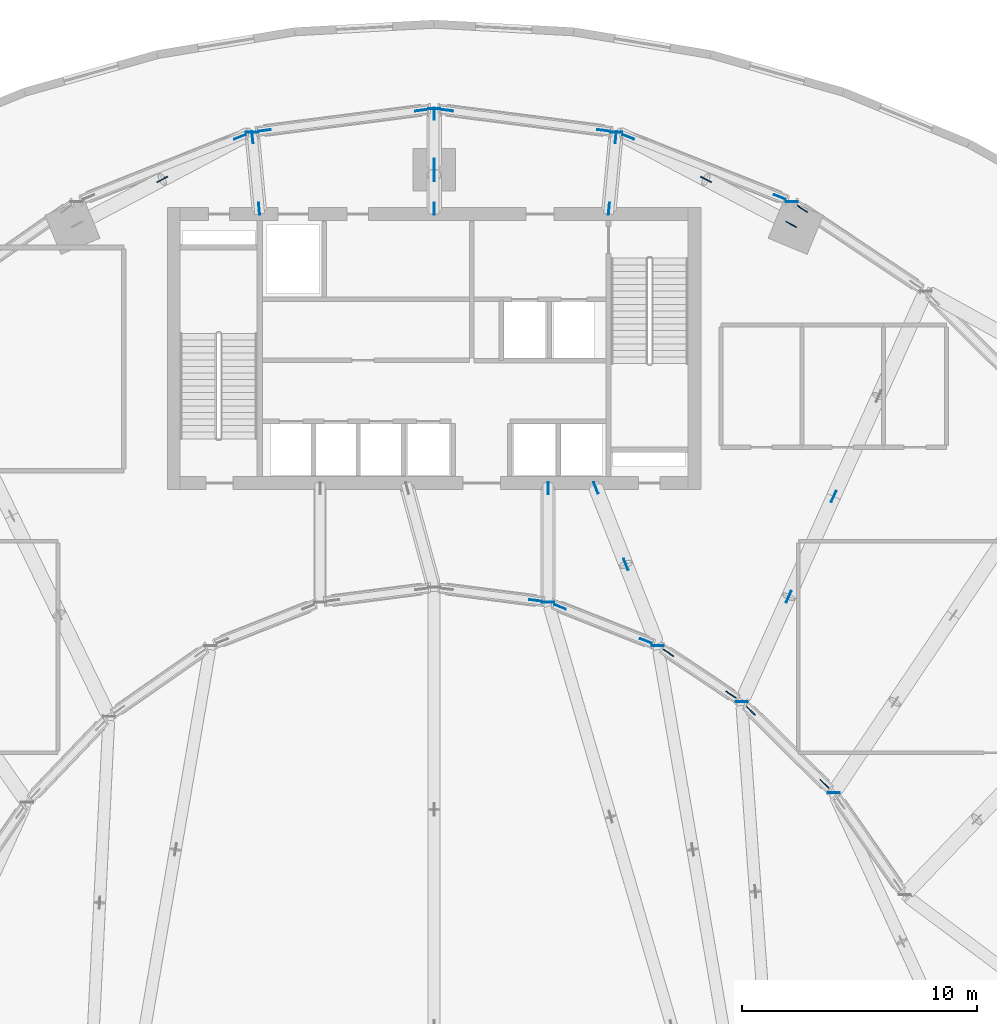
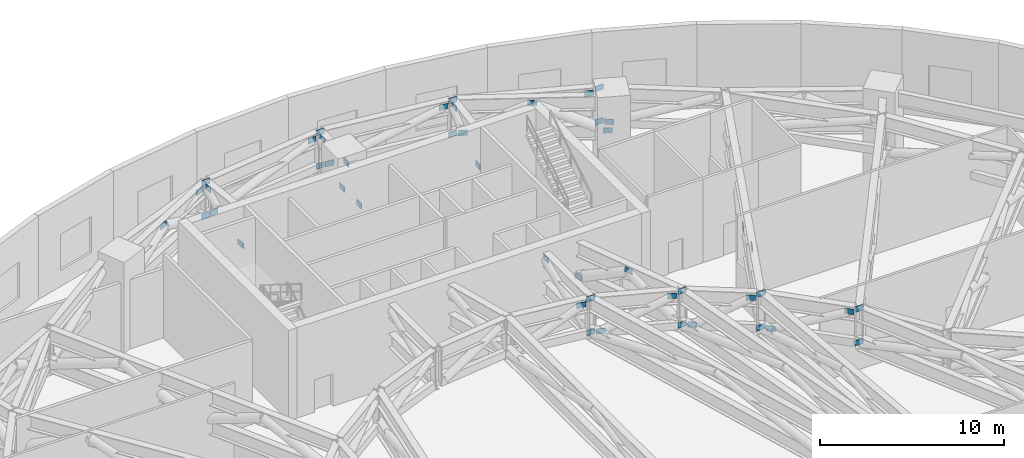
# One storey, part 11 of 19: 47 plates.
"""IFC4 building model written with IfcOpenShell, lengths in metres."""

from ifc_helpers import new_model, si_unit, direction, frame, origin, origin_2d, place, context, subcontext, project, spatial, rectangle, extrude, source, transform, mapped, material, layer, layer_set, type_object, element, save


model = new_model("IFC4")

# Units and contexts
model_context = context("Model", 3, precision=1e-05, world=origin(), true_north=direction((0.0, 1.0)))
body_context = subcontext(model_context, "Body", "Model", "MODEL_VIEW")
ifc_project = project(units=[si_unit("LENGTHUNIT", "METRE"), si_unit("AREAUNIT", "SQUARE_METRE"), si_unit("VOLUMEUNIT", "CUBIC_METRE"), si_unit("PLANEANGLEUNIT", "RADIAN"), si_unit("MASSUNIT", "GRAM", prefix="KILO")], contexts=[model_context])

# Site, building, storey
site_placement = place(None, origin())
site = spatial("IfcSite", under=ifc_project, at=site_placement, CompositionType="ELEMENT")
building_placement = place(site_placement, origin())
building = spatial("IfcBuilding", under=site, at=building_placement, Name="Breltana Convention Tower", CompositionType="ELEMENT")
storey_placement = place(building_placement, frame((0.0, 0.0, 24.0)))
storey = spatial("IfcBuildingStorey", under=building, at=storey_placement, Name="L04", CompositionType="ELEMENT", Elevation=24.0)

# Plates
ifc_material = material(Name="Steel S355", Category="steel")
ifc_layer = layer(ifc_material, 0.0400390625, Name="Steel S355")
ifc_layer_set = layer_set([ifc_layer], Name="Steel S355")
plate_type = type_object("IfcPlateType", Name="PL-GUSSET-40", PredefinedType="USERDEFINED", material=ifc_layer_set)
shared_shape = source(origin(), body_context, "Body", "SweptSolid", [
    extrude(rectangle(XDim=0.52001953125, YDim=0.0400390625, at=origin_2d()), origin(), (0.0, 0.0, 1.0), 0.360107421875),
])
for number, where, z_axis, x_axis, name in (
    (1, (40.253173828125, 75.404296875, 2.96337890625), (0.0, 0.0, 1.0), (1.0, 0.0, 0.0), "L04 Structural Brace Node Gusset Plate 019"),
    (2, (40.253173828125, 75.404296875, 5.18994140625), (0.0, 0.0, 1.0), (1.0, 0.0, 0.0), "L04 Structural Brace Node Gusset Plate 020"),
    (3, (48.0, 76.404052734375, 2.96337890625), (0.0, 0.0, 1.0), (1.0, 0.0, 0.0), "L04 Structural Brace Node Gusset Plate 023"),
    (4, (48.0, 76.404052734375, 5.18994140625), (0.0, 0.0, 1.0), (1.0, 0.0, 0.0), "L04 Structural Brace Node Gusset Plate 024"),
    (5, (52.846435546875, 55.41064453125, 2.96337890625), (0.0, 0.0, 1.0), (1.0, 0.0, 0.0), "L04 Structural Brace Node Gusset Plate 025"),
    (6, (52.846435546875, 55.41064453125, 5.18994140625), (0.0, 0.0, 1.0), (1.0, 0.0, 0.0), "L04 Structural Brace Node Gusset Plate 026"),
    (7, (55.746826171875, 75.404296875, 2.96337890625), (0.0, 0.0, 1.0), (1.0, 0.0, 0.0), "L04 Structural Brace Node Gusset Plate 027"),
    (8, (55.746826171875, 75.404296875, 5.18994140625), (0.0, 0.0, 1.0), (1.0, 0.0, 0.0), "L04 Structural Brace Node Gusset Plate 028"),
    (9, (57.514892578125, 53.5576171875, 2.96337890625), (0.0, 0.0, 1.0), (1.0, 0.0, 0.0), "L04 Structural Brace Node Gusset Plate 029"),
    (10, (57.514892578125, 53.5576171875, 5.18994140625), (0.0, 0.0, 1.0), (1.0, 0.0, 0.0), "L04 Structural Brace Node Gusset Plate 030"),
    (11, (63.208984375, 72.4423828125, 2.96337890625), (0.0, 0.0, 1.0), (1.0, 0.0, 0.0), "L04 Structural Brace Node Gusset Plate 031"),
    (12, (63.208984375, 72.4423828125, 5.18994140625), (0.0, 0.0, 1.0), (1.0, 0.0, 0.0), "L04 Structural Brace Node Gusset Plate 032"),
    (13, (61.08203125, 51.174560546875, 2.96337890625), (0.0, 0.0, 1.0), (1.0, 0.0, 0.0), "L04 Structural Brace Node Gusset Plate 033"),
    (14, (61.08203125, 51.174560546875, 5.18994140625), (0.0, 0.0, 1.0), (1.0, 0.0, 0.0), "L04 Structural Brace Node Gusset Plate 034"),
    (15, (64.995849609375, 47.293701171875, 2.96337890625), (0.0, 0.0, 1.0), (1.0, 0.0, 0.0), "L04 Structural Brace Node Gusset Plate 037"),
    (16, (64.995849609375, 47.293701171875, 5.18994140625), (0.0, 0.0, 1.0), (1.0, 0.0, 0.0), "L04 Structural Brace Node Gusset Plate 038"),
    (17, (40.559326171875, 72.14404296875, 2.96337890625), (0.0, 0.0, 1.0), (-0.093413257074, 0.995627421982, 0.0), "L04 Structural Brace Node Gusset Plate 074"),
    (18, (40.273681640625, 75.185302734375, 4.89599609375), (0.0, 0.0, 1.0), (-0.093413257074, 0.995627421982, 0.0), "L04 Structural Brace Node Gusset Plate 075"),
    (19, (36.434814453125, 73.391845703125, 4.89599609375), (0.0, 0.0, 1.0), (-0.884662361566, -0.466232244732, 0.0), "L04 Structural Brace Node Gusset Plate 076"),
    (20, (48.0, 72.14501953125, 2.96337890625), (0.0, 0.0, 1.0), (0.0, 1.0, 0.0), "L04 Structural Brace Node Gusset Plate 083"),
    (21, (48.0, 73.580078125, 4.89599609375), (0.0, 0.0, 1.0), (0.0, 1.0, 0.0), "L04 Structural Brace Node Gusset Plate 084"),
    (22, (48.0, 74.02001953125, 2.96337890625), (0.0, 0.0, 1.0), (0.0, 1.0, 0.0), "L04 Structural Brace Node Gusset Plate 085"),
    (23, (48.0, 76.18408203125, 4.89599609375), (0.0, 0.0, 1.0), (0.0, 1.0, 0.0), "L04 Structural Brace Node Gusset Plate 086"),
    (24, (52.846435546875, 60.2548828125, 4.89599609375), (0.0, 0.0, 1.0), (0.0, 1.0, 0.0), "L04 Structural Brace Node Gusset Plate 091"),
    (25, (55.440673828125, 72.14404296875, 2.96337890625), (0.0, 0.0, 1.0), (0.093413257074, 0.995627421982, 0.0), "L04 Structural Brace Node Gusset Plate 092"),
    (26, (55.726318359375, 75.185302734375, 4.89599609375), (0.0, 0.0, 1.0), (0.093413257074, 0.995627421982, 0.0), "L04 Structural Brace Node Gusset Plate 093"),
    (27, (59.565185546875, 73.391845703125, 4.89599609375), (0.0, 0.0, 1.0), (0.884662361566, -0.466232244732, 0.0), "L04 Structural Brace Node Gusset Plate 094"),
    (28, (63.189208984375, 71.48193359375, 2.96337890625), (0.0, 0.0, 1.0), (0.884662361566, -0.466232244732, 0.0), "L04 Structural Brace Node Gusset Plate 095"),
    (29, (56.157470703125, 57.016357421875, 4.89599609375), (0.0, 0.0, 1.0), (-0.365364233984, 0.930864639207, 0.0), "L04 Structural Brace Node Gusset Plate 099"),
    (30, (54.88037109375, 60.270263671875, 2.96337890625), (0.0, 0.0, 1.0), (-0.365364233984, 0.930864639207, 0.0), "L04 Structural Brace Node Gusset Plate 100"),
    (31, (63.083984375, 55.6396484375, 4.89599609375), (0.0, 0.0, 1.0), (0.409126902895, 0.912477494148, 0.0), "L04 Structural Brace Node Gusset Plate 104"),
    (32, (64.996337890625, 59.90380859375, 2.96337890625), (0.0, 0.0, 1.0), (0.409126902895, 0.912477494148, 0.0), "L04 Structural Brace Node Gusset Plate 105"),
    (33, (39.741943359375, 75.201416015625, 4.89599609375), (0.0, 0.0, 1.0), (0.929454882621, 0.36893579546, 0.0), "L04 Structural Brace Node Gusset Plate 140"),
    (34, (40.798583984375, 75.474853515625, 2.96337890625), (0.0, 0.0, 1.0), (0.99178318013, 0.127930151302, 0.0), "L04 Structural Brace Node Gusset Plate 143"),
    (35, (47.45458984375, 76.33349609375, 4.89599609375), (0.0, 0.0, 1.0), (0.99178318013, 0.127930151302, 0.0), "L04 Structural Brace Node Gusset Plate 144"),
    (36, (52.301025390625, 55.481201171875, 4.89599609375), (0.0, 0.0, 1.0), (0.99178318013, -0.127930151302, 0.0), "L04 Structural Brace Node Gusset Plate 146"),
    (37, (48.54541015625, 76.33349609375, 2.96337890625), (0.0, 0.0, 1.0), (0.99178318013, -0.127930151302, 0.0), "L04 Structural Brace Node Gusset Plate 147"),
    (38, (55.201416015625, 75.474853515625, 4.89599609375), (0.0, 0.0, 1.0), (0.99178318013, -0.127930151302, 0.0), "L04 Structural Brace Node Gusset Plate 148"),
    (39, (53.357666015625, 55.207763671875, 2.96337890625), (0.0, 0.0, 1.0), (0.929454882621, -0.36893579546, 0.0), "L04 Structural Brace Node Gusset Plate 149"),
    (40, (57.00390625, 53.760498046875, 4.89599609375), (0.0, 0.0, 1.0), (0.929454882621, -0.36893579546, 0.0), "L04 Structural Brace Node Gusset Plate 150"),
    (41, (56.258056640625, 75.201416015625, 2.96337890625), (0.0, 0.0, 1.0), (0.929454882621, -0.36893579546, 0.0), "L04 Structural Brace Node Gusset Plate 151"),
    (42, (62.69775390625, 72.6455078125, 4.89599609375), (0.0, 0.0, 1.0), (0.929454882621, -0.36893579546, 0.0), "L04 Structural Brace Node Gusset Plate 152"),
    (43, (57.972412109375, 53.252197265625, 2.96337890625), (0.0, 0.0, 1.0), (0.831469612303, -0.55557023302, 0.0), "L04 Structural Brace Node Gusset Plate 153"),
    (44, (60.624755859375, 51.47998046875, 4.89599609375), (0.0, 0.0, 1.0), (0.831469612303, -0.55557023302, 0.0), "L04 Structural Brace Node Gusset Plate 154"),
    (45, (63.666259765625, 72.136962890625, 2.96337890625), (0.0, 0.0, 1.0), (0.831469612303, -0.55557023302, 0.0), "L04 Structural Brace Node Gusset Plate 155"),
    (46, (61.47265625, 50.787109375, 2.96337890625), (0.0, 0.0, 1.0), (0.710062491058, -0.704138664464, 0.0), "L04 Structural Brace Node Gusset Plate 157"),
    (47, (64.605224609375, 47.680908203125, 4.89599609375), (0.0, 0.0, 1.0), (0.710062491058, -0.704138664464, 0.0), "L04 Structural Brace Node Gusset Plate 158"),
):
    element("IfcPlate", number, at=place(storey_placement, frame(where, z_axis=z_axis, x_axis=x_axis)), inside=storey, type_object=plate_type, Name=name, ObjectType="GUSSET_PLATE", PredefinedType="USERDEFINED", context=body_context, shape_type="MappedRepresentation", body=[
        mapped(shared_shape, transform((0.0, 0.0, 0.0), scale=1.0)),
    ])

save(model, "model.ifc")
